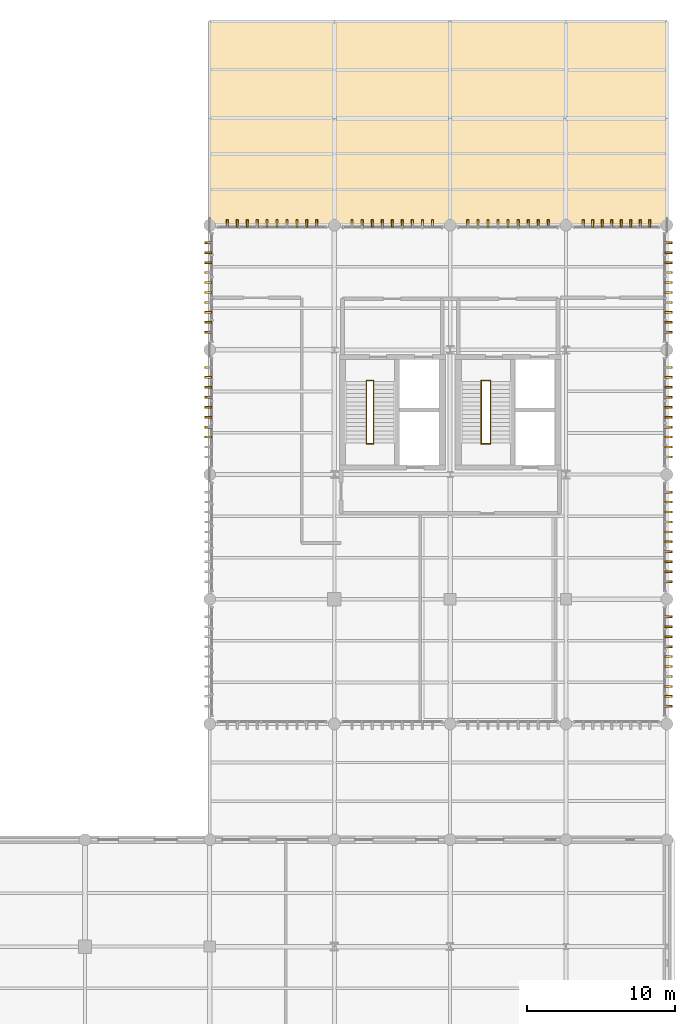
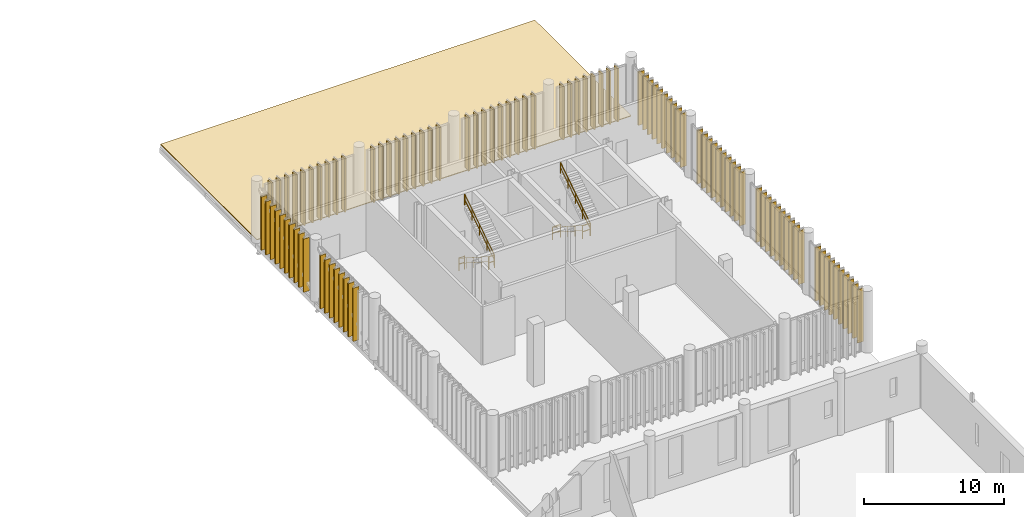
# One storey, part 125 of 128: 95 coverings, 8 railings, 1 element without a shape of its own.
"""IFC4 building model written with IfcOpenShell, lengths in metres."""

from ifc_helpers import new_model, si_unit, direction, frame, frame_2d, origin_with_axes, origin_2d_with_axis, place, context, subcontext, project, spatial, polyline, rectangle, circle, outline, extrude, material, type_object, element, aggregate, save


model = new_model("IFC4")

# Units and contexts
model_context = context("Model", 3, precision=1e-05, world=origin_with_axes(), true_north=direction((0.0, 1.0)))
body_context = subcontext(model_context, "Body", "Model", "MODEL_VIEW")
ifc_project = project(units=[si_unit("LENGTHUNIT", "METRE"), si_unit("AREAUNIT", "SQUARE_METRE"), si_unit("VOLUMEUNIT", "CUBIC_METRE"), si_unit("PLANEANGLEUNIT", "RADIAN"), si_unit("MASSUNIT", "GRAM", prefix="KILO"), si_unit("THERMODYNAMICTEMPERATUREUNIT", "KELVIN")], contexts=[model_context])

# Site, building, storey
site_placement = place(None, origin_with_axes())
site = spatial("IfcSite", under=ifc_project, at=site_placement, CompositionType="ELEMENT")
building_placement = place(site_placement, origin_with_axes())
building = spatial("IfcBuilding", under=site, at=building_placement, Name="Montbau Bow Law Courts", CompositionType="ELEMENT")
storey_placement = place(building_placement, frame((0.0, 0.0, 5.4), z_axis=(0.0, 0.0, 1.0), x_axis=(1.0, 0.0, 0.0)))
storey = spatial("IfcBuildingStorey", under=building, at=storey_placement, Name="L01", CompositionType="ELEMENT", Elevation=5.4)

# Coverings
ifc_material_1 = material(Name="Freeze-Thaw Glazed Slate-Grey Ceramic Vertical Louvre", Category="masonry")
covering_type_1 = type_object("IfcCoveringType", Name="CV-LVR-SLT", PredefinedType="CLADDING", material=ifc_material_1)
for number, where, z_axis, x_axis, name in (
    (1, (139.785, 103.07, 5.4), (1.0, 0.0, 0.0), (0.0, 1.0, 0.0), "CLV-L01-2482:cov_2527"),
    (2, (140.455, 103.07, 5.4), (1.0, 0.0, 0.0), (0.0, 1.0, 0.0), "CLV-L01-2483:cov_2528"),
    (3, (141.125, 103.07, 5.4), (1.0, 0.0, 0.0), (0.0, 1.0, 0.0), "CLV-L01-2484:cov_2529"),
    (4, (141.795, 103.07, 5.4), (1.0, 0.0, 0.0), (0.0, 1.0, 0.0), "CLV-L01-2485:cov_2530"),
    (5, (142.465, 103.07, 5.4), (1.0, 0.0, 0.0), (0.0, 1.0, 0.0), "CLV-L01-2486:cov_2531"),
    (6, (143.135, 103.07, 5.4), (1.0, 0.0, 0.0), (0.0, 1.0, 0.0), "CLV-L01-2487:cov_2532"),
    (7, (143.805, 103.07, 5.4), (1.0, 0.0, 0.0), (0.0, 1.0, 0.0), "CLV-L01-2488:cov_2533"),
    (8, (144.475, 103.07, 5.4), (1.0, 0.0, 0.0), (0.0, 1.0, 0.0), "CLV-L01-2489:cov_2534"),
    (9, (145.145, 103.07, 5.4), (1.0, 0.0, 0.0), (0.0, 1.0, 0.0), "CLV-L01-2490:cov_2535"),
    (10, (145.815, 103.07, 5.4), (1.0, 0.0, 0.0), (0.0, 1.0, 0.0), "CLV-L01-2491:cov_2536"),
    (11, (148.192, 103.07, 5.4), (1.0, 0.0, 0.0), (0.0, 1.0, 0.0), "CLV-L01-2492:cov_2537"),
    (12, (148.869, 103.07, 5.4), (1.0, 0.0, 0.0), (0.0, 1.0, 0.0), "CLV-L01-2493:cov_2538"),
    (13, (149.546, 103.07, 5.4), (1.0, 0.0, 0.0), (0.0, 1.0, 0.0), "CLV-L01-2494:cov_2539"),
    (14, (150.223, 103.07, 5.4), (1.0, 0.0, 0.0), (0.0, 1.0, 0.0), "CLV-L01-2495:cov_2540"),
    (15, (150.9, 103.07, 5.4), (1.0, 0.0, 0.0), (0.0, 1.0, 0.0), "CLV-L01-2496:cov_2541"),
    (16, (151.577, 103.07, 5.4), (1.0, 0.0, 0.0), (0.0, 1.0, 0.0), "CLV-L01-2497:cov_2542"),
    (17, (152.254, 103.07, 5.4), (1.0, 0.0, 0.0), (0.0, 1.0, 0.0), "CLV-L01-2498:cov_2543"),
    (18, (152.931, 103.07, 5.4), (1.0, 0.0, 0.0), (0.0, 1.0, 0.0), "CLV-L01-2499:cov_2544"),
    (19, (153.608, 103.07, 5.4), (1.0, 0.0, 0.0), (0.0, 1.0, 0.0), "CLV-L01-2500:cov_2545"),
    (20, (155.992, 103.07, 5.4), (1.0, 0.0, 0.0), (0.0, 1.0, 0.0), "CLV-L01-2501:cov_2546"),
    (21, (156.669, 103.07, 5.4), (1.0, 0.0, 0.0), (0.0, 1.0, 0.0), "CLV-L01-2502:cov_2547"),
    (22, (157.346, 103.07, 5.4), (1.0, 0.0, 0.0), (0.0, 1.0, 0.0), "CLV-L01-2503:cov_2548"),
    (23, (158.023, 103.07, 5.4), (1.0, 0.0, 0.0), (0.0, 1.0, 0.0), "CLV-L01-2504:cov_2549"),
    (24, (158.7, 103.07, 5.4), (1.0, 0.0, 0.0), (0.0, 1.0, 0.0), "CLV-L01-2505:cov_2550"),
    (25, (159.377, 103.07, 5.4), (1.0, 0.0, 0.0), (0.0, 1.0, 0.0), "CLV-L01-2506:cov_2551"),
    (26, (160.054, 103.07, 5.4), (1.0, 0.0, 0.0), (0.0, 1.0, 0.0), "CLV-L01-2507:cov_2552"),
    (27, (160.731, 103.07, 5.4), (1.0, 0.0, 0.0), (0.0, 1.0, 0.0), "CLV-L01-2508:cov_2553"),
    (28, (161.408, 103.07, 5.4), (1.0, 0.0, 0.0), (0.0, 1.0, 0.0), "CLV-L01-2509:cov_2554"),
    (29, (163.756, 103.07, 5.4), (1.0, 0.0, 0.0), (0.0, 1.0, 0.0), "CLV-L01-2510:cov_2555"),
    (30, (164.397, 103.07, 5.4), (1.0, 0.0, 0.0), (0.0, 1.0, 0.0), "CLV-L01-2511:cov_2556"),
    (31, (165.038, 103.07, 5.4), (1.0, 0.0, 0.0), (0.0, 1.0, 0.0), "CLV-L01-2512:cov_2557"),
    (32, (165.679, 103.07, 5.4), (1.0, 0.0, 0.0), (0.0, 1.0, 0.0), "CLV-L01-2513:cov_2558"),
    (33, (166.321, 103.07, 5.4), (1.0, 0.0, 0.0), (0.0, 1.0, 0.0), "CLV-L01-2514:cov_2559"),
    (34, (166.962, 103.07, 5.4), (1.0, 0.0, 0.0), (0.0, 1.0, 0.0), "CLV-L01-2515:cov_2560"),
    (35, (167.603, 103.07, 5.4), (1.0, 0.0, 0.0), (0.0, 1.0, 0.0), "CLV-L01-2516:cov_2561"),
    (36, (168.244, 103.07, 5.4), (1.0, 0.0, 0.0), (0.0, 1.0, 0.0), "CLV-L01-2517:cov_2562"),
    (37, (138.73, 88.925, 5.4), (0.0, 1.0, 0.0), (-1.0, 0.0, 0.0), "CLV-L01-2540:cov_2585"),
    (38, (138.73, 89.595, 5.4), (0.0, 1.0, 0.0), (-1.0, 0.0, 0.0), "CLV-L01-2541:cov_2586"),
    (39, (138.73, 90.265, 5.4), (0.0, 1.0, 0.0), (-1.0, 0.0, 0.0), "CLV-L01-2542:cov_2587"),
    (40, (138.73, 90.935, 5.4), (0.0, 1.0, 0.0), (-1.0, 0.0, 0.0), "CLV-L01-2543:cov_2588"),
    (41, (138.73, 91.605, 5.4), (0.0, 1.0, 0.0), (-1.0, 0.0, 0.0), "CLV-L01-2544:cov_2589"),
    (42, (138.73, 92.275, 5.4), (0.0, 1.0, 0.0), (-1.0, 0.0, 0.0), "CLV-L01-2545:cov_2590"),
    (43, (138.73, 92.945, 5.4), (0.0, 1.0, 0.0), (-1.0, 0.0, 0.0), "CLV-L01-2546:cov_2591"),
    (44, (138.73, 93.615, 5.4), (0.0, 1.0, 0.0), (-1.0, 0.0, 0.0), "CLV-L01-2547:cov_2592"),
    (45, (138.73, 95.985, 5.4), (0.0, 1.0, 0.0), (-1.0, 0.0, 0.0), "CLV-L01-2548:cov_2593"),
    (46, (138.73, 96.655, 5.4), (0.0, 1.0, 0.0), (-1.0, 0.0, 0.0), "CLV-L01-2549:cov_2594"),
    (47, (138.73, 97.325, 5.4), (0.0, 1.0, 0.0), (-1.0, 0.0, 0.0), "CLV-L01-2550:cov_2595"),
    (48, (138.73, 97.995, 5.4), (0.0, 1.0, 0.0), (-1.0, 0.0, 0.0), "CLV-L01-2551:cov_2596"),
    (49, (138.73, 98.665, 5.4), (0.0, 1.0, 0.0), (-1.0, 0.0, 0.0), "CLV-L01-2552:cov_2597"),
    (50, (138.73, 99.335, 5.4), (0.0, 1.0, 0.0), (-1.0, 0.0, 0.0), "CLV-L01-2553:cov_2598"),
    (51, (138.73, 100.005, 5.4), (0.0, 1.0, 0.0), (-1.0, 0.0, 0.0), "CLV-L01-2554:cov_2599"),
    (52, (138.73, 100.675, 5.4), (0.0, 1.0, 0.0), (-1.0, 0.0, 0.0), "CLV-L01-2555:cov_2600"),
    (53, (138.73, 101.345, 5.4), (0.0, 1.0, 0.0), (-1.0, 0.0, 0.0), "CLV-L01-2556:cov_2601"),
    (54, (138.73, 102.015, 5.4), (0.0, 1.0, 0.0), (-1.0, 0.0, 0.0), "CLV-L01-2557:cov_2602"),
    (55, (169.27, 70.785, 5.4), (0.0, -1.0, 0.0), (1.0, 0.0, 0.0), "CLV-L01-2558:cov_2603"),
    (56, (169.27, 71.455, 5.4), (0.0, -1.0, 0.0), (1.0, 0.0, 0.0), "CLV-L01-2559:cov_2604"),
    (57, (169.27, 72.125, 5.4), (0.0, -1.0, 0.0), (1.0, 0.0, 0.0), "CLV-L01-2560:cov_2605"),
    (58, (169.27, 72.795, 5.4), (0.0, -1.0, 0.0), (1.0, 0.0, 0.0), "CLV-L01-2561:cov_2606"),
    (59, (169.27, 73.465, 5.4), (0.0, -1.0, 0.0), (1.0, 0.0, 0.0), "CLV-L01-2562:cov_2607"),
    (60, (169.27, 74.135, 5.4), (0.0, -1.0, 0.0), (1.0, 0.0, 0.0), "CLV-L01-2563:cov_2608"),
    (61, (169.27, 74.805, 5.4), (0.0, -1.0, 0.0), (1.0, 0.0, 0.0), "CLV-L01-2564:cov_2609"),
    (62, (169.27, 75.475, 5.4), (0.0, -1.0, 0.0), (1.0, 0.0, 0.0), "CLV-L01-2565:cov_2610"),
    (63, (169.27, 76.145, 5.4), (0.0, -1.0, 0.0), (1.0, 0.0, 0.0), "CLV-L01-2566:cov_2611"),
    (64, (169.27, 76.815, 5.4), (0.0, -1.0, 0.0), (1.0, 0.0, 0.0), "CLV-L01-2567:cov_2612"),
    (65, (169.27, 79.185, 5.4), (0.0, -1.0, 0.0), (1.0, 0.0, 0.0), "CLV-L01-2568:cov_2613"),
    (66, (169.27, 79.855, 5.4), (0.0, -1.0, 0.0), (1.0, 0.0, 0.0), "CLV-L01-2569:cov_2614"),
    (67, (169.27, 80.525, 5.4), (0.0, -1.0, 0.0), (1.0, 0.0, 0.0), "CLV-L01-2570:cov_2615"),
    (68, (169.27, 81.195, 5.4), (0.0, -1.0, 0.0), (1.0, 0.0, 0.0), "CLV-L01-2571:cov_2616"),
    (69, (169.27, 81.865, 5.4), (0.0, -1.0, 0.0), (1.0, 0.0, 0.0), "CLV-L01-2572:cov_2617"),
    (70, (169.27, 82.535, 5.4), (0.0, -1.0, 0.0), (1.0, 0.0, 0.0), "CLV-L01-2573:cov_2618"),
    (71, (169.27, 83.205, 5.4), (0.0, -1.0, 0.0), (1.0, 0.0, 0.0), "CLV-L01-2574:cov_2619"),
    (72, (169.27, 83.875, 5.4), (0.0, -1.0, 0.0), (1.0, 0.0, 0.0), "CLV-L01-2575:cov_2620"),
    (73, (169.27, 84.545, 5.4), (0.0, -1.0, 0.0), (1.0, 0.0, 0.0), "CLV-L01-2576:cov_2621"),
    (74, (169.27, 85.215, 5.4), (0.0, -1.0, 0.0), (1.0, 0.0, 0.0), "CLV-L01-2577:cov_2622"),
    (75, (169.27, 87.585, 5.4), (0.0, -1.0, 0.0), (1.0, 0.0, 0.0), "CLV-L01-2578:cov_2623"),
    (76, (169.27, 88.255, 5.4), (0.0, -1.0, 0.0), (1.0, 0.0, 0.0), "CLV-L01-2579:cov_2624"),
    (77, (169.27, 88.925, 5.4), (0.0, -1.0, 0.0), (1.0, 0.0, 0.0), "CLV-L01-2580:cov_2625"),
    (78, (169.27, 89.595, 5.4), (0.0, -1.0, 0.0), (1.0, 0.0, 0.0), "CLV-L01-2581:cov_2626"),
    (79, (169.27, 90.265, 5.4), (0.0, -1.0, 0.0), (1.0, 0.0, 0.0), "CLV-L01-2582:cov_2627"),
    (80, (169.27, 90.935, 5.4), (0.0, -1.0, 0.0), (1.0, 0.0, 0.0), "CLV-L01-2583:cov_2628"),
    (81, (169.27, 91.605, 5.4), (0.0, -1.0, 0.0), (1.0, 0.0, 0.0), "CLV-L01-2584:cov_2629"),
    (82, (169.27, 92.275, 5.4), (0.0, -1.0, 0.0), (1.0, 0.0, 0.0), "CLV-L01-2585:cov_2630"),
    (83, (169.27, 92.945, 5.4), (0.0, -1.0, 0.0), (1.0, 0.0, 0.0), "CLV-L01-2586:cov_2631"),
    (84, (169.27, 93.615, 5.4), (0.0, -1.0, 0.0), (1.0, 0.0, 0.0), "CLV-L01-2587:cov_2632"),
    (85, (169.27, 95.985, 5.4), (0.0, -1.0, 0.0), (1.0, 0.0, 0.0), "CLV-L01-2588:cov_2633"),
    (86, (169.27, 96.655, 5.4), (0.0, -1.0, 0.0), (1.0, 0.0, 0.0), "CLV-L01-2589:cov_2634"),
    (87, (169.27, 97.325, 5.4), (0.0, -1.0, 0.0), (1.0, 0.0, 0.0), "CLV-L01-2590:cov_2635"),
    (88, (169.27, 97.995, 5.4), (0.0, -1.0, 0.0), (1.0, 0.0, 0.0), "CLV-L01-2591:cov_2636"),
    (89, (169.27, 98.665, 5.4), (0.0, -1.0, 0.0), (1.0, 0.0, 0.0), "CLV-L01-2592:cov_2637"),
    (90, (169.27, 99.335, 5.4), (0.0, -1.0, 0.0), (1.0, 0.0, 0.0), "CLV-L01-2593:cov_2638"),
    (91, (169.27, 100.005, 5.4), (0.0, -1.0, 0.0), (1.0, 0.0, 0.0), "CLV-L01-2594:cov_2639"),
    (92, (169.27, 100.675, 5.4), (0.0, -1.0, 0.0), (1.0, 0.0, 0.0), "CLV-L01-2595:cov_2640"),
    (93, (169.27, 101.345, 5.4), (0.0, -1.0, 0.0), (1.0, 0.0, 0.0), "CLV-L01-2596:cov_2641"),
    (94, (169.27, 102.015, 5.4), (0.0, -1.0, 0.0), (1.0, 0.0, 0.0), "CLV-L01-2597:cov_2642"),
):
    element("IfcCovering", number, at=place(None, frame(where, z_axis=z_axis, x_axis=x_axis)), inside=storey, type_object=covering_type_1, Name=name, PredefinedType="CLADDING", context=body_context, shape_type="SweptSolid", body=[
        extrude(rectangle(XDim=0.48, YDim=4.64, at=frame_2d((0.24, 2.32), x_axis=(1.0, 0.0))), frame((0.0, 0.0, -0.06), z_axis=(0.0, 0.0, 1.0), x_axis=(1.0, 0.0, 0.0)), (0.0, 0.0, 1.0), 0.12),
    ])

# Roof, covering
ifc_material_2 = material(Name="Insulated Inverted Membrane Roof", Category="other")
roof_type = type_object("IfcRoofType", Name="RF-FL-01", PredefinedType="FLAT_ROOF", material=ifc_material_2)
roof_placement = place(None, frame((138.6, 103.204, 5.4), z_axis=(0.0, 0.0, 1.0), x_axis=(1.0, 0.0, 0.0)))
roof = element("IfcRoof", 95, at=roof_placement, inside=storey, type_object=roof_type, Name="ROOF-LID-L01-13:rof_0018", PredefinedType="FLAT_ROOF")
ifc_material_3 = material(Name="Standing-Seam Pre-Weathered Zinc Roofing Membrane", Category="steel")
covering_type_2 = type_object("IfcCoveringType", Name="CV-ROF-01", PredefinedType="ROOFING", material=ifc_material_3)
covering_placement = place(None, frame((0.0, 0.0, 5.4), z_axis=(0.0, 0.0, 1.0), x_axis=(1.0, 0.0, 0.0)))
covering = element("IfcCovering", 96, at=covering_placement, type_object=covering_type_2, Name="CVR-LID-L01-13:cov_0018", PredefinedType="ROOFING", context=body_context, shape_type="SweptSolid", body=[
    extrude(outline(polyline([(138.6, 116.92), (169.4, 116.92), (169.4, 103.204), (138.6, 103.204), (138.6, 116.92)])), origin_with_axes(), (0.0, 0.0, 1.0), 0.06),
])
aggregate(roof, [covering])

# Railings
ifc_material_4 = material(Name="Architectural Bronze-Finished Steel Stair Guard", Category="steel")
railing_type_1 = type_object("IfcRailingType", Name="RL-GRD-1100", PredefinedType="GUARDRAIL", material=ifc_material_4)
railing_1_placement = place(None, origin_with_axes())
element("IfcRailing", 97, at=railing_1_placement, inside=storey, type_object=railing_type_1, Name="SG-ST-P2-L01-ML:rlg_0168", PredefinedType="GUARDRAIL", context=body_context, shape_type="SweptSolid", body=[
    extrude(circle(Radius=0.0225, at=origin_2d_with_axis()), frame((149.17, 88.47, 9.202), z_axis=(1.0, 0.0, 0.0), x_axis=(0.0, 0.0, 1.0)), (0.0, 0.0, 1.0), 0.47),
    extrude(circle(Radius=0.02025, at=origin_2d_with_axis()), frame((149.17, 88.47, 8.672), z_axis=(1.0, 0.0, 0.0), x_axis=(0.0, 0.0, 1.0)), (0.0, 0.0, 1.0), 0.47),
    extrude(circle(Radius=0.02025, at=origin_2d_with_axis()), frame((149.17, 88.47, 8.1), z_axis=(0.0, 0.0, 1.0), x_axis=(1.0, 0.0, 0.0)), (0.0, 0.0, 1.0), 1.07525),
    extrude(circle(Radius=0.02025, at=origin_2d_with_axis()), frame((149.64, 88.47, 8.1), z_axis=(0.0, 0.0, 1.0), x_axis=(1.0, 0.0, 0.0)), (0.0, 0.0, 1.0), 1.07525),
])
railing_2_placement = place(None, origin_with_axes())
element("IfcRailing", 98, at=railing_2_placement, inside=storey, type_object=railing_type_1, Name="SG-ST-P2-L01-BL:rlg_0169", PredefinedType="GUARDRAIL", context=body_context, shape_type="SweptSolid", body=[
    extrude(circle(Radius=0.0225, at=origin_2d_with_axis()), frame((149.17, 92.73, 6.502), z_axis=(1.0, 0.0, 0.0), x_axis=(0.0, 0.0, 1.0)), (0.0, 0.0, 1.0), 0.47),
    extrude(circle(Radius=0.02025, at=origin_2d_with_axis()), frame((149.17, 92.73, 5.972), z_axis=(1.0, 0.0, 0.0), x_axis=(0.0, 0.0, 1.0)), (0.0, 0.0, 1.0), 0.47),
    extrude(circle(Radius=0.02025, at=origin_2d_with_axis()), frame((149.17, 92.73, 5.4), z_axis=(0.0, 0.0, 1.0), x_axis=(1.0, 0.0, 0.0)), (0.0, 0.0, 1.0), 1.07525),
    extrude(circle(Radius=0.02025, at=origin_2d_with_axis()), frame((149.64, 92.73, 5.4), z_axis=(0.0, 0.0, 1.0), x_axis=(1.0, 0.0, 0.0)), (0.0, 0.0, 1.0), 1.07525),
])
railing_3_placement = place(None, origin_with_axes())
element("IfcRailing", 99, at=railing_3_placement, inside=storey, type_object=railing_type_1, Name="SG-ST-J2-L01-ML:rlg_0211", PredefinedType="GUARDRAIL", context=body_context, shape_type="SweptSolid", body=[
    extrude(circle(Radius=0.0225, at=origin_2d_with_axis()), frame((156.89, 88.47, 9.202), z_axis=(1.0, 0.0, 0.0), x_axis=(0.0, 0.0, 1.0)), (0.0, 0.0, 1.0), 0.63),
    extrude(circle(Radius=0.02025, at=origin_2d_with_axis()), frame((156.89, 88.47, 8.672), z_axis=(1.0, 0.0, 0.0), x_axis=(0.0, 0.0, 1.0)), (0.0, 0.0, 1.0), 0.63),
    extrude(circle(Radius=0.02025, at=origin_2d_with_axis()), frame((156.89, 88.47, 8.1), z_axis=(0.0, 0.0, 1.0), x_axis=(1.0, 0.0, 0.0)), (0.0, 0.0, 1.0), 1.07525),
    extrude(circle(Radius=0.02025, at=origin_2d_with_axis()), frame((157.52, 88.47, 8.1), z_axis=(0.0, 0.0, 1.0), x_axis=(1.0, 0.0, 0.0)), (0.0, 0.0, 1.0), 1.07525),
])
railing_4_placement = place(None, origin_with_axes())
element("IfcRailing", 100, at=railing_4_placement, inside=storey, type_object=railing_type_1, Name="SG-ST-J2-L01-BL:rlg_0212", PredefinedType="GUARDRAIL", context=body_context, shape_type="SweptSolid", body=[
    extrude(circle(Radius=0.0225, at=origin_2d_with_axis()), frame((156.89, 92.73, 6.502), z_axis=(1.0, 0.0, 0.0), x_axis=(0.0, 0.0, 1.0)), (0.0, 0.0, 1.0), 0.63),
    extrude(circle(Radius=0.02025, at=origin_2d_with_axis()), frame((156.89, 92.73, 5.972), z_axis=(1.0, 0.0, 0.0), x_axis=(0.0, 0.0, 1.0)), (0.0, 0.0, 1.0), 0.63),
    extrude(circle(Radius=0.02025, at=origin_2d_with_axis()), frame((156.89, 92.73, 5.4), z_axis=(0.0, 0.0, 1.0), x_axis=(1.0, 0.0, 0.0)), (0.0, 0.0, 1.0), 1.07525),
    extrude(circle(Radius=0.02025, at=origin_2d_with_axis()), frame((157.52, 92.73, 5.4), z_axis=(0.0, 0.0, 1.0), x_axis=(1.0, 0.0, 0.0)), (0.0, 0.0, 1.0), 1.07525),
])
ifc_material_5 = material(Name="White-Oak and Stainless Continuous Stair Handrail", Category="steel")
railing_type_2 = type_object("IfcRailingType", Name="RL-HND-0920", PredefinedType="HANDRAIL", material=ifc_material_5)
railing_5_placement = place(None, origin_with_axes())
element("IfcRailing", 101, at=railing_5_placement, inside=storey, type_object=railing_type_2, Name="HR-ST-P2-L01-1:rlg_0170", PredefinedType="HANDRAIL", context=body_context, shape_type="SweptSolid", body=[
    extrude(circle(Radius=0.021, at=origin_2d_with_axis()), frame((149.17, 92.7, 6.502), z_axis=(0.0, -0.841178475, 0.540757591), x_axis=(0.0, 0.540757591, 0.841178475)), (0.0, 0.0, 1.0), 4.992995),
    extrude(circle(Radius=0.0189, at=origin_2d_with_axis()), frame((149.17, 92.7, 6.0584), z_axis=(0.0, -0.841178475, 0.540757591), x_axis=(0.0, 0.540757591, 0.841178475)), (0.0, 0.0, 1.0), 4.992995),
    extrude(circle(Radius=0.0189, at=origin_2d_with_axis()), frame((149.17, 92.7, 5.58), z_axis=(0.0, 0.0, 1.0), x_axis=(1.0, 0.0, 0.0)), (0.0, 0.0, 1.0), 0.8969),
    extrude(circle(Radius=0.0189, at=origin_2d_with_axis()), frame((149.17, 91.65, 6.255), z_axis=(0.0, 0.0, 1.0), x_axis=(1.0, 0.0, 0.0)), (0.0, 0.0, 1.0), 0.8969),
    extrude(circle(Radius=0.0189, at=origin_2d_with_axis()), frame((149.17, 90.6, 6.93), z_axis=(0.0, 0.0, 1.0), x_axis=(1.0, 0.0, 0.0)), (0.0, 0.0, 1.0), 0.8969),
    extrude(circle(Radius=0.0189, at=origin_2d_with_axis()), frame((149.17, 89.55, 7.605), z_axis=(0.0, 0.0, 1.0), x_axis=(1.0, 0.0, 0.0)), (0.0, 0.0, 1.0), 0.8969),
    extrude(circle(Radius=0.0189, at=origin_2d_with_axis()), frame((149.17, 88.5, 8.28), z_axis=(0.0, 0.0, 1.0), x_axis=(1.0, 0.0, 0.0)), (0.0, 0.0, 1.0), 0.8969),
])
railing_6_placement = place(None, origin_with_axes())
element("IfcRailing", 102, at=railing_6_placement, inside=storey, type_object=railing_type_2, Name="HR-ST-P2-L01-2:rlg_0171", PredefinedType="HANDRAIL", context=body_context, shape_type="SweptSolid", body=[
    extrude(circle(Radius=0.021, at=origin_2d_with_axis()), frame((149.64, 88.5, 9.202), z_axis=(0.0, 0.841178475, 0.540757591), x_axis=(0.0, -0.540757591, 0.841178475)), (0.0, 0.0, 1.0), 4.992995),
    extrude(circle(Radius=0.0189, at=origin_2d_with_axis()), frame((149.64, 88.5, 8.7584), z_axis=(0.0, 0.841178475, 0.540757591), x_axis=(0.0, -0.540757591, 0.841178475)), (0.0, 0.0, 1.0), 4.992995),
    extrude(circle(Radius=0.0189, at=origin_2d_with_axis()), frame((149.64, 88.5, 8.28), z_axis=(0.0, 0.0, 1.0), x_axis=(1.0, 0.0, 0.0)), (0.0, 0.0, 1.0), 0.8969),
    extrude(circle(Radius=0.0189, at=origin_2d_with_axis()), frame((149.64, 89.55, 8.955), z_axis=(0.0, 0.0, 1.0), x_axis=(1.0, 0.0, 0.0)), (0.0, 0.0, 1.0), 0.8969),
    extrude(circle(Radius=0.0189, at=origin_2d_with_axis()), frame((149.64, 90.6, 9.63), z_axis=(0.0, 0.0, 1.0), x_axis=(1.0, 0.0, 0.0)), (0.0, 0.0, 1.0), 0.8969),
    extrude(circle(Radius=0.0189, at=origin_2d_with_axis()), frame((149.64, 91.65, 10.305), z_axis=(0.0, 0.0, 1.0), x_axis=(1.0, 0.0, 0.0)), (0.0, 0.0, 1.0), 0.8969),
    extrude(circle(Radius=0.0189, at=origin_2d_with_axis()), frame((149.64, 92.7, 10.98), z_axis=(0.0, 0.0, 1.0), x_axis=(1.0, 0.0, 0.0)), (0.0, 0.0, 1.0), 0.8969),
])
railing_7_placement = place(None, origin_with_axes())
element("IfcRailing", 103, at=railing_7_placement, inside=storey, type_object=railing_type_2, Name="HR-ST-J2-L01-1:rlg_0213", PredefinedType="HANDRAIL", context=body_context, shape_type="SweptSolid", body=[
    extrude(circle(Radius=0.021, at=origin_2d_with_axis()), frame((156.89, 92.7, 6.502), z_axis=(0.0, -0.841178475, 0.540757591), x_axis=(0.0, 0.540757591, 0.841178475)), (0.0, 0.0, 1.0), 4.992995),
    extrude(circle(Radius=0.0189, at=origin_2d_with_axis()), frame((156.89, 92.7, 6.0584), z_axis=(0.0, -0.841178475, 0.540757591), x_axis=(0.0, 0.540757591, 0.841178475)), (0.0, 0.0, 1.0), 4.992995),
    extrude(circle(Radius=0.0189, at=origin_2d_with_axis()), frame((156.89, 92.7, 5.58), z_axis=(0.0, 0.0, 1.0), x_axis=(1.0, 0.0, 0.0)), (0.0, 0.0, 1.0), 0.8969),
    extrude(circle(Radius=0.0189, at=origin_2d_with_axis()), frame((156.89, 91.65, 6.255), z_axis=(0.0, 0.0, 1.0), x_axis=(1.0, 0.0, 0.0)), (0.0, 0.0, 1.0), 0.8969),
    extrude(circle(Radius=0.0189, at=origin_2d_with_axis()), frame((156.89, 90.6, 6.93), z_axis=(0.0, 0.0, 1.0), x_axis=(1.0, 0.0, 0.0)), (0.0, 0.0, 1.0), 0.8969),
    extrude(circle(Radius=0.0189, at=origin_2d_with_axis()), frame((156.89, 89.55, 7.605), z_axis=(0.0, 0.0, 1.0), x_axis=(1.0, 0.0, 0.0)), (0.0, 0.0, 1.0), 0.8969),
    extrude(circle(Radius=0.0189, at=origin_2d_with_axis()), frame((156.89, 88.5, 8.28), z_axis=(0.0, 0.0, 1.0), x_axis=(1.0, 0.0, 0.0)), (0.0, 0.0, 1.0), 0.8969),
])
railing_8_placement = place(None, origin_with_axes())
element("IfcRailing", 104, at=railing_8_placement, inside=storey, type_object=railing_type_2, Name="HR-ST-J2-L01-2:rlg_0214", PredefinedType="HANDRAIL", context=body_context, shape_type="SweptSolid", body=[
    extrude(circle(Radius=0.021, at=origin_2d_with_axis()), frame((157.52, 88.5, 9.202), z_axis=(0.0, 0.841178475, 0.540757591), x_axis=(0.0, -0.540757591, 0.841178475)), (0.0, 0.0, 1.0), 4.992995),
    extrude(circle(Radius=0.0189, at=origin_2d_with_axis()), frame((157.52, 88.5, 8.7584), z_axis=(0.0, 0.841178475, 0.540757591), x_axis=(0.0, -0.540757591, 0.841178475)), (0.0, 0.0, 1.0), 4.992995),
    extrude(circle(Radius=0.0189, at=origin_2d_with_axis()), frame((157.52, 88.5, 8.28), z_axis=(0.0, 0.0, 1.0), x_axis=(1.0, 0.0, 0.0)), (0.0, 0.0, 1.0), 0.8969),
    extrude(circle(Radius=0.0189, at=origin_2d_with_axis()), frame((157.52, 89.55, 8.955), z_axis=(0.0, 0.0, 1.0), x_axis=(1.0, 0.0, 0.0)), (0.0, 0.0, 1.0), 0.8969),
    extrude(circle(Radius=0.0189, at=origin_2d_with_axis()), frame((157.52, 90.6, 9.63), z_axis=(0.0, 0.0, 1.0), x_axis=(1.0, 0.0, 0.0)), (0.0, 0.0, 1.0), 0.8969),
    extrude(circle(Radius=0.0189, at=origin_2d_with_axis()), frame((157.52, 91.65, 10.305), z_axis=(0.0, 0.0, 1.0), x_axis=(1.0, 0.0, 0.0)), (0.0, 0.0, 1.0), 0.8969),
    extrude(circle(Radius=0.0189, at=origin_2d_with_axis()), frame((157.52, 92.7, 10.98), z_axis=(0.0, 0.0, 1.0), x_axis=(1.0, 0.0, 0.0)), (0.0, 0.0, 1.0), 0.8969),
])

save(model, "model.ifc")
